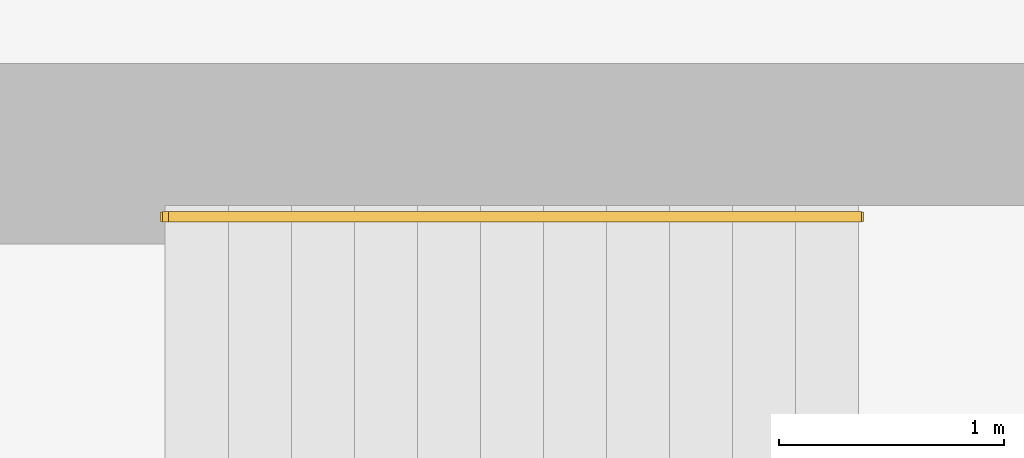
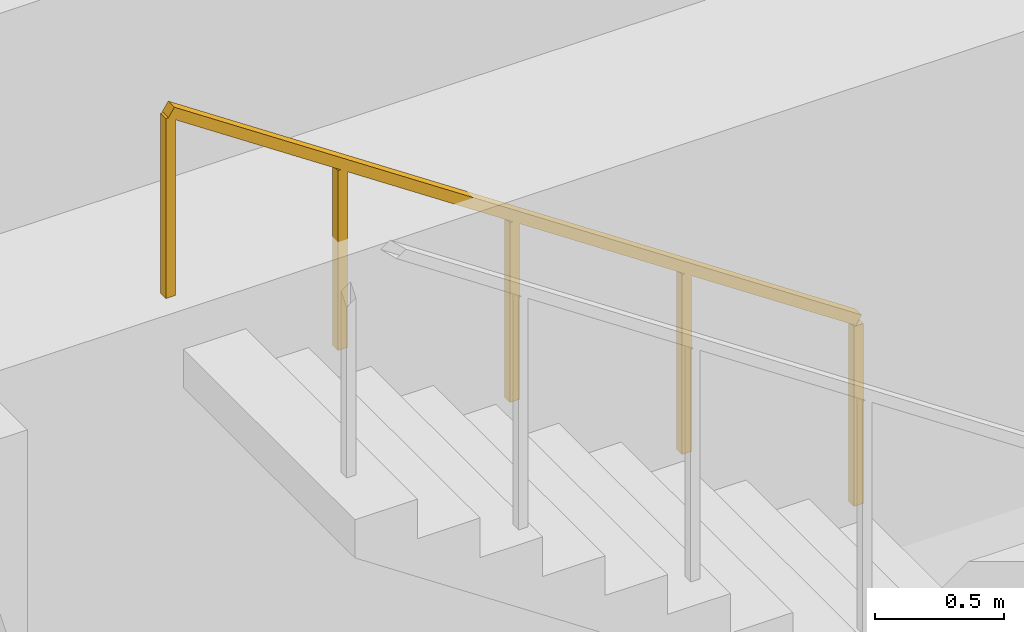
# One storey, part 14 of 14: 1 railing.
"""IFC4 building model written with IfcOpenShell, lengths in metres."""

from ifc_helpers import new_model, si_unit, direction, frame, origin, origin_2d, place, context, subcontext, project, spatial, rectangle, extrude, material, type_object, element, save


model = new_model("IFC4")

# Units and contexts
model_context = context("Model", 3, precision=1e-05, world=origin(), true_north=direction((0.0, 1.0)))
body_context = subcontext(model_context, "Body", "Model", "MODEL_VIEW")
ifc_project = project(units=[si_unit("LENGTHUNIT", "METRE"), si_unit("AREAUNIT", "SQUARE_METRE"), si_unit("VOLUMEUNIT", "CUBIC_METRE"), si_unit("PLANEANGLEUNIT", "RADIAN"), si_unit("MASSUNIT", "GRAM", prefix="KILO")], contexts=[model_context])

# Site, building, storey
site_placement = place(None, origin())
site = spatial("IfcSite", under=ifc_project, at=site_placement, CompositionType="ELEMENT")
building_placement = place(site_placement, origin())
building = spatial("IfcBuilding", under=site, at=building_placement, Name="Zarnavel Station Tower", CompositionType="ELEMENT")
storey_placement = place(building_placement, frame((0.0, 0.0, 10.39990234375)))
storey = spatial("IfcBuildingStorey", under=building, at=storey_placement, Name="L03", CompositionType="ELEMENT", Elevation=10.39990234375)

# Railing
ifc_material = material(Name="Brushed Stainless Steel S355J2 Handrail", Category="steel")
railing_type = type_object("IfcRailingType", Name="HR_STAIR_900", PredefinedType="HANDRAIL", material=ifc_material)
railing_placement = place(storey_placement, frame((41.159912109375, 36.77001953125, 2.4375)))
element("IfcRailing", 1, at=railing_placement, inside=storey, type_object=railing_type, Name="L03 ST2 stair handrail 2", PredefinedType="HANDRAIL", context=body_context, shape_type="SweptSolid", body=[
    extrude(rectangle(XDim=0.048095703125, YDim=0.048095703125, at=origin_2d()), frame((-0.001708984375, 0.0, 0.876953125), z_axis=(-0.830893310487, 0.0, 0.556431762742), x_axis=(0.0, -1.0, 0.0)), (0.0, 0.0, 1.0), 3.70263671875),
    extrude(rectangle(XDim=0.0419921875, YDim=0.0419921875, at=origin_2d()), origin(), (0.0, 0.0, 1.0), 0.851806640625),
    extrude(rectangle(XDim=0.0419921875, YDim=0.0419921875, at=origin_2d()), frame((-0.77001953125, 0.0, 0.515625)), (0.0, 0.0, 1.0), 0.851806640625),
    extrude(rectangle(XDim=0.0419921875, YDim=0.0419921875, at=origin_2d()), frame((-1.5400390625, 0.0, 1.03125)), (0.0, 0.0, 1.0), 0.851806640625),
    extrude(rectangle(XDim=0.0419921875, YDim=0.0419921875, at=origin_2d()), frame((-2.309814453125, 0.0, 1.546875)), (0.0, 0.0, 1.0), 0.851806640625),
    extrude(rectangle(XDim=0.0419921875, YDim=0.0419921875, at=origin_2d()), frame((-3.079833984375, 0.0, 2.0625)), (0.0, 0.0, 1.0), 0.851806640625),
])

save(model, "model.ifc")
